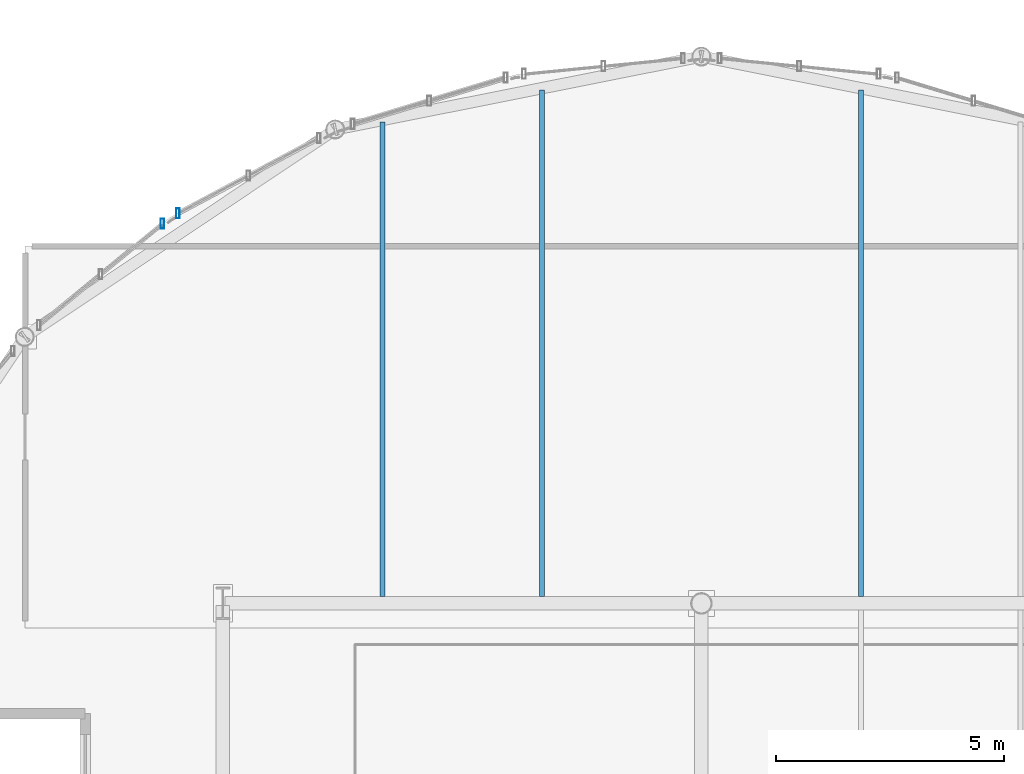
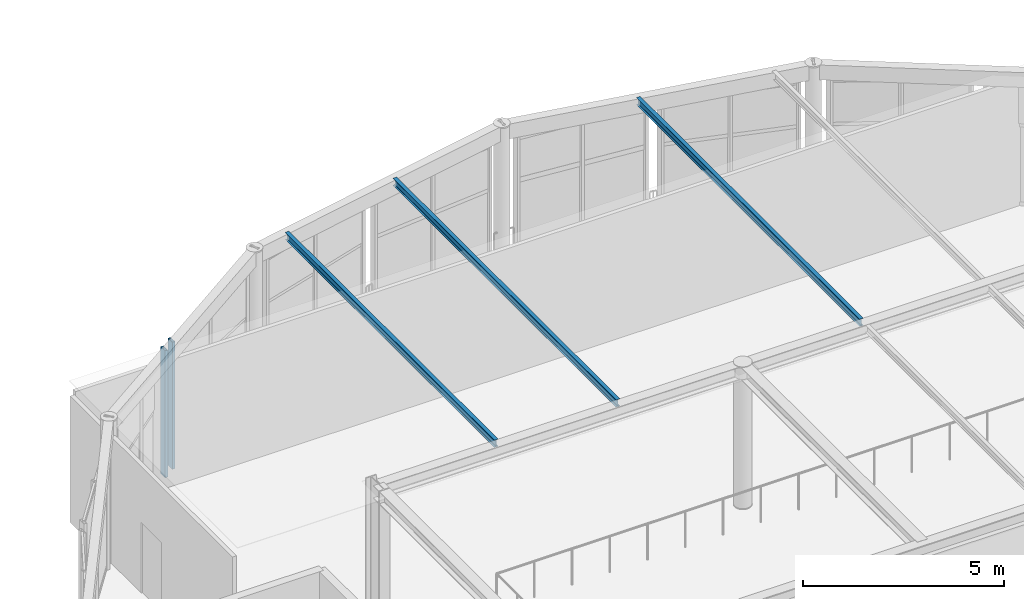
# One storey, part 36 of 105: 3 beams, 2 members, 2 elements without a shape of their own.
"""IFC4 building model written with IfcOpenShell, lengths in metres."""

from ifc_helpers import new_model, si_unit, direction, frame, origin, origin_2d, place, context, subcontext, project, spatial, hollow_rectangle, i_section, extrude, material, layer, layer_set, material_profile, profile_set, type_object, element, aggregate, save


model = new_model("IFC4")

# Units and contexts
model_context = context("Model", 3, precision=1e-05, world=origin(), true_north=direction((0.0, 1.0)))
body_context = subcontext(model_context, "Body", "Model", "MODEL_VIEW")
ifc_project = project(units=[si_unit("LENGTHUNIT", "METRE"), si_unit("AREAUNIT", "SQUARE_METRE"), si_unit("VOLUMEUNIT", "CUBIC_METRE"), si_unit("PLANEANGLEUNIT", "RADIAN"), si_unit("MASSUNIT", "GRAM", prefix="KILO")], contexts=[model_context])

# Site, building, storey
site_placement = place(None, origin())
site = spatial("IfcSite", under=ifc_project, at=site_placement, CompositionType="ELEMENT")
building_placement = place(site_placement, origin())
building = spatial("IfcBuilding", under=site, at=building_placement, Name="Marlcrest Central Station", CompositionType="ELEMENT")
storey_placement = place(building_placement, frame((0.0, 0.0, 15.0)))
storey = spatial("IfcBuildingStorey", under=building, at=storey_placement, Name="L03", CompositionType="ELEMENT", Elevation=15.0)

# Beams
ifc_material_1 = material(Name="Steel S355", Category="steel")
ifc_material_profile_1 = material_profile(ifc_material_1, i_section(OverallWidth=0.110107421875, OverallDepth=0.219970703125, WebThickness=0.005859375, FlangeThickness=0.00927734375, FilletRadius=0.011962890625, at=origin_2d()), Name="IPE 220")
ifc_profile_set_1 = profile_set([ifc_material_profile_1], Name="Steel S355")
beam_type = type_object("IfcBeamType", Name="JS-02", PredefinedType="JOIST", material=ifc_profile_set_1)
beam_placement = place(storey_placement, frame((101.0, 119.64794921875, 4.215087890625), z_axis=(0.0, 1.0, 0.0), x_axis=(-1.0, 0.0, 0.0)))
element("IfcBeam", 1, at=beam_placement, inside=storey, type_object=beam_type, Name="bm-JS-02-L03-01531", PredefinedType="JOIST", context=body_context, shape_type="SweptSolid", body=[
    extrude(i_section(OverallWidth=0.110107421875, OverallDepth=0.219970703125, WebThickness=0.005859375, FlangeThickness=0.00927734375, FilletRadius=0.011962890625, at=origin_2d()), origin(), (0.0, 0.0, 1.0), 10.419189453125),
])
for number, where, z_axis, x_axis, name in (
    (2, (104.5, 119.64794921875, 4.215087890625), (0.0, 1.0, 0.0), (-1.0, 0.0, 0.0), "bm-JS-02-L03-01532"),
    (3, (111.5, 119.64794921875, 4.215087890625), (0.0, 1.0, 0.0), (-1.0, 0.0, 0.0), "bm-JS-02-L03-01533"),
):
    element("IfcBeam", number, at=place(storey_placement, frame(where, z_axis=z_axis, x_axis=x_axis)), inside=storey, type_object=beam_type, Name=name, PredefinedType="JOIST", context=body_context, shape_type="SweptSolid", body=[
        extrude(i_section(OverallWidth=0.110107421875, OverallDepth=0.219970703125, WebThickness=0.005859375, FlangeThickness=0.00927734375, FilletRadius=0.011962890625, at=origin_2d()), origin(), (0.0, 0.0, 1.0), 11.11572265625),
    ])

# Curtain wall, member
ifc_material_2 = material(Name="Anodised aluminium and hurricane laminated glass", Category="aluminium")
ifc_layer = layer(ifc_material_2, 0.219970703125, Name="CW-U1")
ifc_layer_set = layer_set([ifc_layer], Name="Anodised aluminium and hurricane laminated glass")
curtain_wall_type = type_object("IfcCurtainWallType", Name="CW-U1", PredefinedType="USERDEFINED", material=ifc_layer_set)
curtain_wall_1_placement = place(storey_placement, origin())
curtain_wall_1 = element("IfcCurtainWall", 4, at=curtain_wall_1_placement, inside=storey, type_object=curtain_wall_type, Name="cw-L03-0087", ObjectType="UNITISED_CURTAIN_WALL", PredefinedType="USERDEFINED")
ifc_material_3 = material(Name="Anodised aluminium 6063-T6", Category="aluminium")
ifc_material_profile_2 = material_profile(ifc_material_3, hollow_rectangle(XDim=0.080078125, YDim=0.219970703125, WallThickness=0.006103515625, at=origin_2d()), Name="AA-RHS 220x80x6")
ifc_profile_set_2 = profile_set([ifc_material_profile_2], Name="Anodised aluminium 6063-T6")
member_type = type_object("IfcMemberType", Name="ML-01", PredefinedType="MULLION", material=ifc_profile_set_2)
member_1_placement = place(storey_placement, frame((96.173828125, 127.830322265625, -0.030029296875), z_axis=(0.0, 0.0, 1.0), x_axis=(1.0, 0.0, 0.0)))
member_1 = element("IfcMember", 5, at=member_1_placement, type_object=member_type, Name="cw-L03-0087-ml-2", PredefinedType="MULLION", context=body_context, shape_type="SweptSolid", body=[
    extrude(hollow_rectangle(XDim=0.080078125, YDim=0.219970703125, WallThickness=0.006103515625, at=origin_2d()), origin(), (0.0, 0.0, 1.0), 3.860107421875),
])
aggregate(curtain_wall_1, [member_1])

curtain_wall_2_placement = place(storey_placement, origin())
curtain_wall_2 = element("IfcCurtainWall", 6, at=curtain_wall_2_placement, inside=storey, type_object=curtain_wall_type, Name="cw-L03-0088", ObjectType="UNITISED_CURTAIN_WALL", PredefinedType="USERDEFINED")
member_2_placement = place(storey_placement, frame((96.514404296875, 128.05810546875, -0.030029296875), z_axis=(0.0, 0.0, 1.0), x_axis=(1.0, 0.0, 0.0)))
member_2 = element("IfcMember", 7, at=member_2_placement, type_object=member_type, Name="cw-L03-0088-ml-0", PredefinedType="MULLION", context=body_context, shape_type="SweptSolid", body=[
    extrude(hollow_rectangle(XDim=0.080078125, YDim=0.219970703125, WallThickness=0.006103515625, at=origin_2d()), origin(), (0.0, 0.0, 1.0), 3.860107421875),
])
aggregate(curtain_wall_2, [member_2])

save(model, "model.ifc")
